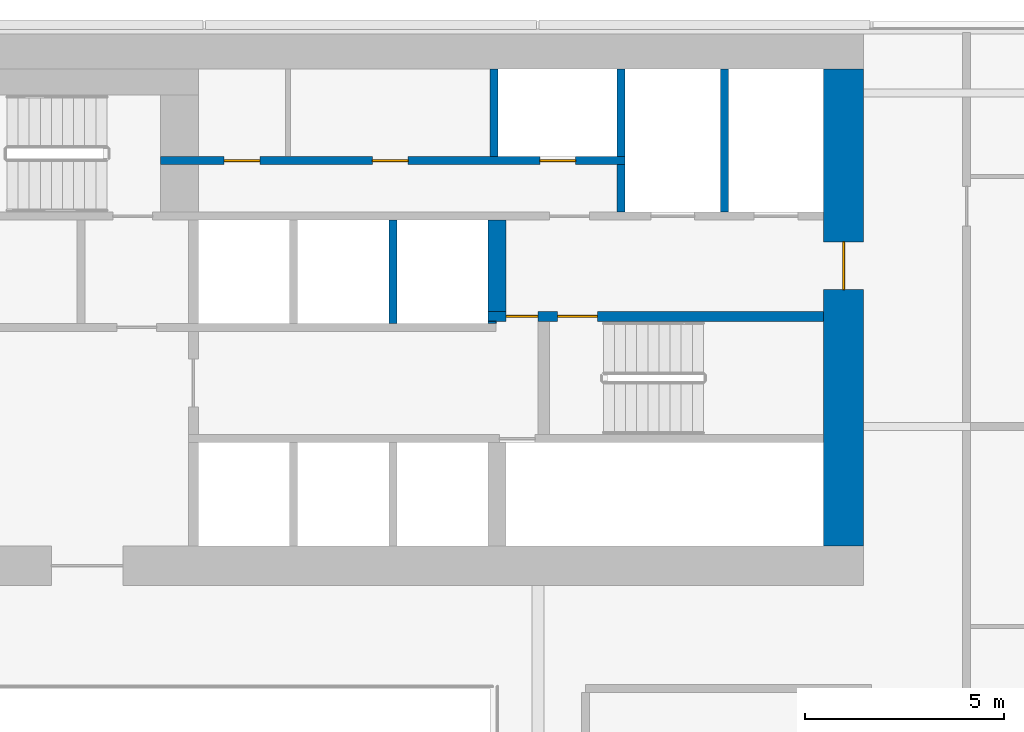
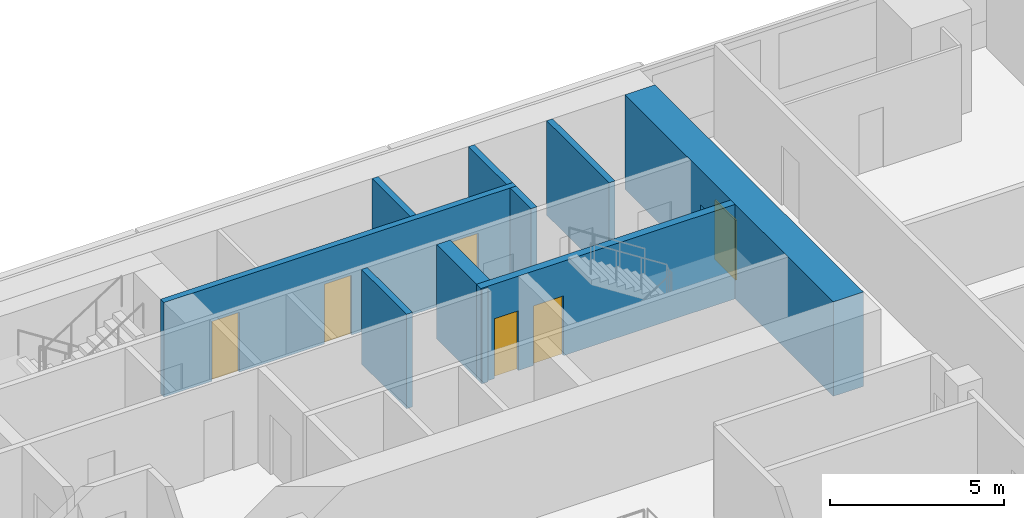
# One storey, part 23 of 29: 10 walls, 6 doors, 6 openings.
"""IFC4 building model written with IfcOpenShell, lengths in metres."""

import ifcopenshell
import ifcopenshell.guid

model = None  # the IFC model being written
_history = None  # IfcOwnerHistory: only IFC2X3 demands one
_inside = {}  # id of a spatial element -> (the spatial element, [elements in it])
_under = {}  # id of a project, library or spatial element -> (it, [spatial elements below it])
_declared = {}  # id of a project -> (the project, [libraries it declares])
_typed = {}  # id of a type object -> (the type object, [elements of that type])
_made_of = {}  # id of a material, layer set ... -> (it, [elements and type objects made of it])


def new_model(schema):
    """Start an empty IFC model of exactly this schema.

    Asked for "IFC4X3", IfcOpenShell would pick the latest addendum, in which some entities
    have other attributes; the version numbers below select the first issue.
    IFC2X3 requires an IfcOwnerHistory on every rooted entity: one is made here for all.
    """
    global model, _history
    if schema == "IFC4X3":
        model = ifcopenshell.file(schema_version=(4, 3, 0, 0))
    else:
        model = ifcopenshell.file(schema=schema)
    _inside.clear()
    _under.clear()
    _declared.clear()
    _typed.clear()
    _made_of.clear()
    _history = None
    if model.schema == "IFC2X3":
        org = make("IfcOrganization", Name="unknown")
        user = make(
            "IfcPersonAndOrganization",
            ThePerson=make("IfcPerson", FamilyName="unknown"),
            TheOrganization=org,
        )
        app = make(
            "IfcApplication",
            ApplicationDeveloper=org,
            Version="unknown",
            ApplicationFullName="unknown",
            ApplicationIdentifier="unknown",
        )
        _history = make(
            "IfcOwnerHistory",
            OwningUser=user,
            OwningApplication=app,
            ChangeAction="ADDED",
            CreationDate=0,
        )
    return model


def make(cls, **values):
    """One entity of the class cls with the attributes given. An attribute that is None is left unset."""
    return model.create_entity(
        cls, **{name: value for name, value in values.items() if value is not None}
    )


def rooted(cls, **values):
    """An entity with a GlobalId (a new one), such as an element, a storey or a relation."""
    return make(cls, GlobalId=ifcopenshell.guid.new(), OwnerHistory=_history, **values)


def si_unit(unit_type, name, prefix=None):
    """IfcSIUnit, for example si_unit("LENGTHUNIT", "METRE", prefix="MILLI")."""
    return make("IfcSIUnit", UnitType=unit_type, Prefix=prefix, Name=name)


def assignment(units):
    """IfcUnitAssignment: the units of a project."""
    return None if units is None else make("IfcUnitAssignment", Units=units)


def point(xyz):
    """IfcCartesianPoint."""
    return None if xyz is None else make("IfcCartesianPoint", Coordinates=xyz)


def direction(xyz):
    """IfcDirection."""
    return None if xyz is None else make("IfcDirection", DirectionRatios=xyz)


def frame(location, z_axis=None, x_axis=None):
    """IfcAxis2Placement3D, a coordinate frame: its origin and axes. An axis left out is left unset."""
    return make(
        "IfcAxis2Placement3D",
        Location=point(location),
        Axis=direction(z_axis),
        RefDirection=direction(x_axis),
    )


def frame_2d(location, x_axis=None):
    """IfcAxis2Placement2D, a coordinate frame in the plane: its origin and x axis."""
    return make(
        "IfcAxis2Placement2D", Location=point(location), RefDirection=direction(x_axis)
    )


def origin():
    """The frame at (0, 0, 0) with its axes left unset."""
    return frame((0.0, 0.0, 0.0))


def place(relative_to, where):
    """IfcLocalPlacement: puts the frame where relative to a parent placement (None: the world)."""
    return make(
        "IfcLocalPlacement", PlacementRelTo=relative_to, RelativePlacement=where
    )


def context(
    kind, dimensions, precision=None, world=None, true_north=None, identifier=None
):
    """IfcGeometricRepresentationContext, for example the 3D "Model" context."""
    return make(
        "IfcGeometricRepresentationContext",
        ContextIdentifier=identifier,
        ContextType=kind,
        CoordinateSpaceDimension=dimensions,
        Precision=precision,
        WorldCoordinateSystem=world,
        TrueNorth=true_north,
    )


def subcontext(parent, identifier, kind, view, scale=None):
    """IfcGeometricRepresentationSubContext, for example "Body" below "Model"."""
    return make(
        "IfcGeometricRepresentationSubContext",
        ContextIdentifier=identifier,
        ContextType=kind,
        ParentContext=parent,
        TargetScale=scale,
        TargetView=view,
    )


def project(units=None, contexts=None):
    """IfcProject with its units and contexts."""
    return rooted(
        "IfcProject",
        Name="project",
        RepresentationContexts=contexts,
        UnitsInContext=assignment(units),
    )


def spatial(cls, under=None, at=None, **own):
    """A site, building, storey or space (cls), placed at a placement, below another one or the project."""
    s = rooted(cls, ObjectPlacement=at, **own)
    if under is not None:
        _under.setdefault(under.id(), (under, []))[1].append(s)
    return s


def profile(cls, at=None, kind="AREA", **sizes):
    """A parametric profile (cls). Its sizes go by their IFC names, for example OverallWidth=200.0."""
    return make(cls, ProfileType=kind, Position=at, **sizes)


def rectangle(**sizes):
    """IfcRectangleProfileDef."""
    return profile("IfcRectangleProfileDef", **sizes)


def extrude(swept, where, along, depth):
    """IfcExtrudedAreaSolid: the profile swept, set in the frame where, extruded along a direction by depth."""
    return make(
        "IfcExtrudedAreaSolid",
        SweptArea=swept,
        Position=where,
        ExtrudedDirection=direction(along),
        Depth=depth,
    )


def shape(context_of_items, identifier, shape_type, items):
    """IfcShapeRepresentation: the items that make up one representation, for example the "Body"."""
    return make(
        "IfcShapeRepresentation",
        ContextOfItems=context_of_items,
        RepresentationIdentifier=identifier,
        RepresentationType=shape_type,
        Items=items,
    )


def material(Name=None, Category=None):
    """IfcMaterial."""
    return make("IfcMaterial", Name=Name, Category=Category)


def layer(
    of_material, thickness, ventilated=None, Name=None, Category=None, Priority=None
):
    """IfcMaterialLayer: one layer of a wall or slab, of a material (None: an air gap)."""
    return make(
        "IfcMaterialLayer",
        Material=of_material,
        LayerThickness=thickness,
        IsVentilated=ventilated,
        Name=Name,
        Category=Category,
        Priority=Priority,
    )


def layer_set(layers, Name=None):
    """IfcMaterialLayerSet."""
    return make("IfcMaterialLayerSet", MaterialLayers=layers, LayerSetName=Name)


def made_of(thing, what):
    """Note that an element or type object is made of a material, layer set ...; save() writes the relation."""
    if what is not None:
        _made_of.setdefault(what.id(), (what, []))[1].append(thing)
    return thing


def type_object(cls, material=None, **own):
    """A type object (cls), such as IfcWallType, which elements share."""
    return made_of(rooted(cls, **own), material)


def element(
    cls,
    number,
    at=None,
    inside=None,
    cuts=None,
    type_object=None,
    material=None,
    context=None,
    identifier="Body",
    shape_type=None,
    held_by="IfcProductDefinitionShape",
    body=None,
    shapes=None,
    **own,
):
    """One element of the class cls, such as IfcWall. Its Tag is "e" and its number.

    at: its placement. inside: the storey or other place that contains it. cuts: it is an
    opening in that element (IfcRelVoidsElement). A single representation is given by context,
    identifier, shape_type and body (its items); several are given by shapes. held_by: the class
    of the entity that holds the representations. save() writes the other relations.
    """
    e = rooted(cls, Tag="e%d" % number, ObjectPlacement=at, **own)
    if body is not None:
        shapes = [shape(context, identifier, shape_type, body)]
    if shapes is not None:
        e.Representation = make(held_by, Representations=shapes)
    if inside is not None:
        _inside.setdefault(inside.id(), (inside, []))[1].append(e)
    if cuts is not None:
        rooted(
            "IfcRelVoidsElement", RelatingBuildingElement=cuts, RelatedOpeningElement=e
        )
    if type_object is not None:
        _typed.setdefault(type_object.id(), (type_object, []))[1].append(e)
    return made_of(e, material)


def fill(opening, filler):
    """IfcRelFillsElement: the door or window that sits in an opening."""
    return rooted(
        "IfcRelFillsElement",
        RelatingOpeningElement=opening,
        RelatedBuildingElement=filler,
    )


def aggregate(whole, parts):
    """IfcRelAggregates: a whole, such as a stair, and the parts it consists of."""
    return rooted("IfcRelAggregates", RelatingObject=whole, RelatedObjects=parts)


def save(model, path):
    """Write the relations noted so far, then the file.

    IfcRelAggregates (storeys below a building ...), IfcRelContainedInSpatialStructure (elements
    in a storey), IfcRelDefinesByType, IfcRelAssociatesMaterial and IfcRelDeclares: one each for
    every whole, place, type object, material and project.
    """
    for whole, parts in _under.values():
        aggregate(whole, parts)
    for where, things in _inside.values():
        rooted(
            "IfcRelContainedInSpatialStructure",
            RelatedElements=things,
            RelatingStructure=where,
        )
    for kind, things in _typed.values():
        rooted("IfcRelDefinesByType", RelatedObjects=things, RelatingType=kind)
    for what, things in _made_of.values():
        rooted("IfcRelAssociatesMaterial", RelatedObjects=things, RelatingMaterial=what)
    for by, libraries in _declared.values():
        rooted("IfcRelDeclares", RelatingContext=by, RelatedDefinitions=libraries)
    model.write(path)


model = new_model("IFC4")

# Units and contexts
model_context = context("Model", 3, precision=1e-05, world=origin(), true_north=direction((0.0, 1.0)))
body_context = subcontext(model_context, "Body", "Model", "MODEL_VIEW")
ifc_project = project(units=[si_unit("LENGTHUNIT", "METRE"), si_unit("AREAUNIT", "SQUARE_METRE"), si_unit("VOLUMEUNIT", "CUBIC_METRE"), si_unit("PLANEANGLEUNIT", "RADIAN"), si_unit("MASSUNIT", "GRAM", prefix="KILO")], contexts=[model_context])

# Site, building, storey
site_placement = place(None, origin())
site = spatial("IfcSite", under=ifc_project, at=site_placement, CompositionType="ELEMENT")
building_placement = place(site_placement, origin())
building = spatial("IfcBuilding", under=site, at=building_placement, Name="Saffron Gate Tower", CompositionType="ELEMENT")
storey_placement = place(building_placement, frame((0.0, 0.0, 113.25)))
storey = spatial("IfcBuildingStorey", under=building, at=storey_placement, Name="L26", CompositionType="ELEMENT", Elevation=113.25)

# Wall, opening, door
ifc_material_1 = material(Name="Concrete C70", Category="concrete")
ifc_layer_1 = layer(ifc_material_1, 1.0)
ifc_layer_set_1 = layer_set([ifc_layer_1], Name="CW12 RC core wall 1000 C70")
wall_type_1 = type_object("IfcWallType", Name="CW12 RC core wall 1000 C70", PredefinedType="SOLIDWALL", material=ifc_layer_set_1)
wall_1_placement = place(storey_placement, frame((107.89990234375, 62.39990234375, 0.0), z_axis=(0.0, 0.0, 1.0), x_axis=(0.0, 1.0, 0.0)))
wall_1 = element("IfcWall", 1, at=wall_1_placement, inside=storey, type_object=wall_type_1, Name="Wall CW12-L26-4", PredefinedType="SOLIDWALL", context=body_context, shape_type="SweptSolid", body=[
    extrude(rectangle(XDim=12.0, YDim=1.0, at=frame_2d((6.0, 0.0))), origin(), (0.0, 0.0, 1.0), 3.320068359375),
])
opening_1_placement = place(wall_1_placement, frame((6.449951171875, 0.0, 0.0)))
opening_1 = element("IfcOpeningElement", 2, at=opening_1_placement, cuts=wall_1, Name="Opening CR-08", PredefinedType="OPENING", context=body_context, shape_type="SweptSolid", body=[
    extrude(rectangle(XDim=1.199951171875, YDim=2.10009765625, at=frame_2d((0.60009765625, 1.050048828125))), frame((0.0, 0.510009765625, 0.0), z_axis=(0.0, -1.0, 0.0), x_axis=(1.0, 0.0, 0.0)), (0.0, 0.0, 1.0), 1.02001953125),
])
ifc_material_2 = material(Name="Steel fire door set", Category="steel")
door_type_1 = type_object("IfcDoorType", Name="CD7 Core entrance door 1200x2100 EI 120", OperationType="NOTDEFINED", PredefinedType="DOOR", material=ifc_material_2)
door_1_placement = place(opening_1_placement, origin())
door_1 = element("IfcDoor", 3, at=door_1_placement, inside=storey, type_object=door_type_1, Name="DOOR CR-08", OperationType="SINGLE_SWING_RIGHT", OverallHeight=2.10009765625, OverallWidth=1.199951171875, PredefinedType="DOOR", context=body_context, shape_type="SweptSolid", body=[
    extrude(rectangle(XDim=1.199951171875, YDim=2.10009765625, at=frame_2d((0.60009765625, 1.050048828125))), frame((0.0, 0.02490234375, 0.0), z_axis=(0.0, -1.0, 0.0), x_axis=(1.0, 0.0, 0.0)), (0.0, 0.0, 1.0), 0.050048828125),
])
fill(opening_1, door_1)

# Wall, openings, doors
ifc_layer_2 = layer(ifc_material_1, 0.25)
ifc_layer_set_2 = layer_set([ifc_layer_2], Name="CW2 RC core wall 250 C70")
wall_type_2 = type_object("IfcWallType", Name="CW2 RC core wall 250 C70", PredefinedType="SOLIDWALL", material=ifc_layer_set_2)
wall_2_placement = place(storey_placement, frame((98.949951171875, 68.175048828125, 0.0), z_axis=(0.0, 0.0, 1.0), x_axis=(1.0, 0.0, 0.0)))
wall_2 = element("IfcWall", 4, at=wall_2_placement, inside=storey, type_object=wall_type_2, Name="Wall CW2-L26-30", PredefinedType="SOLIDWALL", context=body_context, shape_type="SweptSolid", body=[
    extrude(rectangle(XDim=8.449951171875, YDim=0.25, at=frame_2d((4.22509765625, 0.0))), origin(), (0.0, 0.0, 1.0), 3.320068359375),
])
opening_2_placement = place(wall_2_placement, frame((0.449951171875, 0.0, 0.0)))
opening_2 = element("IfcOpeningElement", 5, at=opening_2_placement, cuts=wall_2, Name="Opening CR-05", PredefinedType="OPENING", context=body_context, shape_type="SweptSolid", body=[
    extrude(rectangle(XDim=0.800048828125, YDim=2.10009765625, at=frame_2d((0.39990234375, 1.050048828125))), frame((0.0, 0.135009765625, 0.0), z_axis=(0.0, -1.0, 0.0), x_axis=(1.0, 0.0, 0.0)), (0.0, 0.0, 1.0), 0.27001953125),
])
opening_3_placement = place(wall_2_placement, frame((1.75, 0.0, 0.0)))
opening_3 = element("IfcOpeningElement", 6, at=opening_3_placement, cuts=wall_2, Name="Opening CR-16", PredefinedType="OPENING", context=body_context, shape_type="SweptSolid", body=[
    extrude(rectangle(XDim=1.0, YDim=2.10009765625, at=frame_2d((0.5, 1.050048828125))), frame((0.0, 0.135009765625, 0.0), z_axis=(0.0, -1.0, 0.0), x_axis=(1.0, 0.0, 0.0)), (0.0, 0.0, 1.0), 0.27001953125),
])
door_type_2 = type_object("IfcDoorType", Name="CD5 Stair door 1000x2100 EI 120", OperationType="NOTDEFINED", PredefinedType="DOOR", material=ifc_material_2)
door_2_placement = place(opening_3_placement, origin())
door_2 = element("IfcDoor", 7, at=door_2_placement, inside=storey, type_object=door_type_2, Name="DOOR CR-16", OperationType="SINGLE_SWING_RIGHT", OverallHeight=2.10009765625, OverallWidth=1.0, PredefinedType="DOOR", context=body_context, shape_type="SweptSolid", body=[
    extrude(rectangle(XDim=1.0, YDim=2.10009765625, at=frame_2d((0.5, 1.050048828125))), frame((0.0, 0.02490234375, 0.0), z_axis=(0.0, -1.0, 0.0), x_axis=(1.0, 0.0, 0.0)), (0.0, 0.0, 1.0), 0.050048828125),
])
fill(opening_3, door_2)
door_type_3 = type_object("IfcDoorType", Name="CD6 Lobby door 800x2100 EI 120", OperationType="NOTDEFINED", PredefinedType="DOOR", material=ifc_material_2)
door_3_placement = place(opening_2_placement, origin())
door_3 = element("IfcDoor", 8, at=door_3_placement, inside=storey, type_object=door_type_3, Name="DOOR CR-05", OperationType="SINGLE_SWING_LEFT", OverallHeight=2.10009765625, OverallWidth=0.800048828125, PredefinedType="DOOR", context=body_context, shape_type="SweptSolid", body=[
    extrude(rectangle(XDim=0.800048828125, YDim=2.10009765625, at=frame_2d((0.39990234375, 1.050048828125))), frame((0.0, 0.02490234375, 0.0), z_axis=(0.0, -1.0, 0.0), x_axis=(1.0, 0.0, 0.0)), (0.0, 0.0, 1.0), 0.050048828125),
])
fill(opening_2, door_3)

# Walls
ifc_layer_3 = layer(ifc_material_1, 0.199951171875)
ifc_layer_set_3 = layer_set([ifc_layer_3], Name="CW3 RC core wall 200 C70")
wall_type_3 = type_object("IfcWallType", Name="CW3 RC core wall 200 C70", PredefinedType="SOLIDWALL", material=ifc_layer_set_3)
wall_3_placement = place(storey_placement, frame((96.550048828125, 68.0, 0.0), z_axis=(0.0, 0.0, 1.0), x_axis=(0.0, 1.0, 0.0)))
element("IfcWall", 9, at=wall_3_placement, inside=storey, type_object=wall_type_3, Name="Wall CW3-L26-27", PredefinedType="SOLIDWALL", context=body_context, shape_type="SweptSolid", body=[
    extrude(rectangle(XDim=2.60009765625, YDim=0.199951171875, at=frame_2d((1.300048828125, 0.0))), origin(), (0.0, 0.0, 1.0), 3.320068359375),
])
wall_4_placement = place(storey_placement, frame((102.300048828125, 70.800048828125, 0.0), z_axis=(0.0, 0.0, 1.0), x_axis=(0.0, 1.0, 0.0)))
element("IfcWall", 10, at=wall_4_placement, inside=storey, type_object=wall_type_3, Name="Wall CW3-L26-38", PredefinedType="SOLIDWALL", context=body_context, shape_type="SweptSolid", body=[
    extrude(rectangle(XDim=1.199951171875, YDim=0.199951171875, at=frame_2d((0.60009765625, 0.0))), origin(), (0.0, 0.0, 1.0), 3.320068359375),
])
wall_5_placement = place(storey_placement, frame((104.89990234375, 70.800048828125, 0.0), z_axis=(0.0, 0.0, 1.0), x_axis=(0.0, 1.0, 0.0)))
element("IfcWall", 11, at=wall_5_placement, inside=storey, type_object=wall_type_3, Name="Wall CW3-L26-39", PredefinedType="SOLIDWALL", context=body_context, shape_type="SweptSolid", body=[
    extrude(rectangle(XDim=3.599853515625, YDim=0.199951171875, at=frame_2d((1.7998046875, 0.0))), origin(), (0.0, 0.0, 1.0), 3.320068359375),
])

# Wall, openings, doors
wall_6_placement = place(storey_placement, frame((90.699951171875, 72.10009765625, 0.0), z_axis=(0.0, 0.0, 1.0), x_axis=(1.0, 0.0, 0.0)))
wall_6 = element("IfcWall", 12, at=wall_6_placement, inside=storey, type_object=wall_type_3, Name="Wall CW3-L26-41", PredefinedType="SOLIDWALL", context=body_context, shape_type="SweptSolid", body=[
    extrude(rectangle(XDim=11.699951171875, YDim=0.199951171875, at=frame_2d((5.85009765625, 0.0))), origin(), (0.0, 0.0, 1.0), 3.320068359375),
])
opening_4_placement = place(wall_6_placement, frame((1.60009765625, 0.0, 0.0)))
opening_4 = element("IfcOpeningElement", 13, at=opening_4_placement, cuts=wall_6, Name="Opening CR-50", PredefinedType="OPENING", context=body_context, shape_type="SweptSolid", body=[
    extrude(rectangle(XDim=0.89990234375, YDim=2.10009765625, at=frame_2d((0.449951171875, 1.050048828125))), frame((0.0, 0.10986328125, 0.0), z_axis=(0.0, -1.0, 0.0), x_axis=(1.0, 0.0, 0.0)), (0.0, 0.0, 1.0), 0.219970703125),
])
opening_5_placement = place(wall_6_placement, frame((5.3349609375, 0.0, 0.0)))
opening_5 = element("IfcOpeningElement", 14, at=opening_5_placement, cuts=wall_6, Name="Opening CR-53", PredefinedType="OPENING", context=body_context, shape_type="SweptSolid", body=[
    extrude(rectangle(XDim=0.89990234375, YDim=2.10009765625, at=frame_2d((0.449951171875, 1.050048828125))), frame((0.0, 0.10986328125, 0.0), z_axis=(0.0, -1.0, 0.0), x_axis=(1.0, 0.0, 0.0)), (0.0, 0.0, 1.0), 0.219970703125),
])
opening_6_placement = place(wall_6_placement, frame((9.550048828125, 0.0, 0.0)))
opening_6 = element("IfcOpeningElement", 15, at=opening_6_placement, cuts=wall_6, Name="Opening CR-70", PredefinedType="OPENING", context=body_context, shape_type="SweptSolid", body=[
    extrude(rectangle(XDim=0.89990234375, YDim=2.10009765625, at=frame_2d((0.449951171875, 1.050048828125))), frame((0.0, 0.10986328125, 0.0), z_axis=(0.0, -1.0, 0.0), x_axis=(1.0, 0.0, 0.0)), (0.0, 0.0, 1.0), 0.219970703125),
])
door_type_4 = type_object("IfcDoorType", Name="CD2 Riser door 900x2100 EI 60", OperationType="NOTDEFINED", PredefinedType="DOOR", material=ifc_material_2)
door_4_placement = place(opening_6_placement, origin())
door_4 = element("IfcDoor", 16, at=door_4_placement, inside=storey, type_object=door_type_4, Name="DOOR CR-70", OperationType="SINGLE_SWING_LEFT", OverallHeight=2.10009765625, OverallWidth=0.89990234375, PredefinedType="DOOR", context=body_context, shape_type="SweptSolid", body=[
    extrude(rectangle(XDim=0.89990234375, YDim=2.10009765625, at=frame_2d((0.449951171875, 1.050048828125))), frame((0.0, 0.02490234375, 0.0), z_axis=(0.0, -1.0, 0.0), x_axis=(1.0, 0.0, 0.0)), (0.0, 0.0, 1.0), 0.050048828125),
])
fill(opening_6, door_4)
door_type_5 = type_object("IfcDoorType", Name="CD9 Room door 900x2100 EI 60", OperationType="NOTDEFINED", PredefinedType="DOOR", material=ifc_material_2)
door_5_placement = place(opening_4_placement, origin())
door_5 = element("IfcDoor", 17, at=door_5_placement, inside=storey, type_object=door_type_5, Name="DOOR CR-50", OperationType="SINGLE_SWING_LEFT", OverallHeight=2.10009765625, OverallWidth=0.89990234375, PredefinedType="DOOR", context=body_context, shape_type="SweptSolid", body=[
    extrude(rectangle(XDim=0.89990234375, YDim=2.10009765625, at=frame_2d((0.449951171875, 1.050048828125))), frame((0.0, 0.02490234375, 0.0), z_axis=(0.0, -1.0, 0.0), x_axis=(1.0, 0.0, 0.0)), (0.0, 0.0, 1.0), 0.050048828125),
])
fill(opening_4, door_5)
door_6_placement = place(opening_5_placement, origin())
door_6 = element("IfcDoor", 18, at=door_6_placement, inside=storey, type_object=door_type_5, Name="DOOR CR-53", OperationType="SINGLE_SWING_LEFT", OverallHeight=2.10009765625, OverallWidth=0.89990234375, PredefinedType="DOOR", context=body_context, shape_type="SweptSolid", body=[
    extrude(rectangle(XDim=0.89990234375, YDim=2.10009765625, at=frame_2d((0.449951171875, 1.050048828125))), frame((0.0, 0.02490234375, 0.0), z_axis=(0.0, -1.0, 0.0), x_axis=(1.0, 0.0, 0.0)), (0.0, 0.0, 1.0), 0.050048828125),
])
fill(opening_5, door_6)

# Walls
for number, where, z_axis, x_axis, name in (
    (19, (99.10009765625, 72.199951171875, 0.0), (0.0, 0.0, 1.0), (0.0, 1.0, 0.0), "Wall CW3-L26-49"),
    (20, (102.300048828125, 72.199951171875, 0.0), (0.0, 0.0, 1.0), (0.0, 1.0, 0.0), "Wall CW3-L26-50"),
):
    element("IfcWall", number, at=place(storey_placement, frame(where, z_axis=z_axis, x_axis=x_axis)), inside=storey, type_object=wall_type_3, Name=name, PredefinedType="SOLIDWALL", context=body_context, shape_type="SweptSolid", body=[
        extrude(rectangle(XDim=2.199951171875, YDim=0.199951171875, at=frame_2d((1.10009765625, 0.0))), origin(), (0.0, 0.0, 1.0), 3.320068359375),
    ])
ifc_layer_4 = layer(ifc_material_1, 0.449951171875)
ifc_layer_set_4 = layer_set([ifc_layer_4], Name="CW4 RC core wall 450 C70")
wall_type_4 = type_object("IfcWallType", Name="CW4 RC core wall 450 C70", PredefinedType="SOLIDWALL", material=ifc_layer_set_4)
wall_7_placement = place(storey_placement, frame((99.175048828125, 68.300048828125, 0.0), z_axis=(0.0, 0.0, 1.0), x_axis=(0.0, 1.0, 0.0)))
element("IfcWall", 21, at=wall_7_placement, inside=storey, type_object=wall_type_4, Name="Wall CW4-L26-32", PredefinedType="SOLIDWALL", context=body_context, shape_type="SweptSolid", body=[
    extrude(rectangle(XDim=2.300048828125, YDim=0.449951171875, at=frame_2d((1.14990234375, 0.0))), origin(), (0.0, 0.0, 1.0), 3.320068359375),
])
ifc_layer_5 = layer(ifc_material_1, 0.050048828125)
ifc_layer_set_5 = layer_set([ifc_layer_5], Name="CW6 RC core wall 50 C70")
wall_type_5 = type_object("IfcWallType", Name="CW6 RC core wall 50 C70", PredefinedType="SOLIDWALL", material=ifc_layer_set_5)
wall_8_placement = place(storey_placement, frame((98.949951171875, 68.02490234375, 0.0), z_axis=(0.0, 0.0, 1.0), x_axis=(1.0, 0.0, 0.0)))
element("IfcWall", 22, at=wall_8_placement, inside=storey, type_object=wall_type_5, Name="Wall CW6-L26-28", PredefinedType="SOLIDWALL", context=body_context, shape_type="SweptSolid", body=[
    extrude(rectangle(XDim=0.199951171875, YDim=0.050048828125, at=frame_2d((0.10009765625, 0.0))), origin(), (0.0, 0.0, 1.0), 3.320068359375),
])

save(model, "model.ifc")
